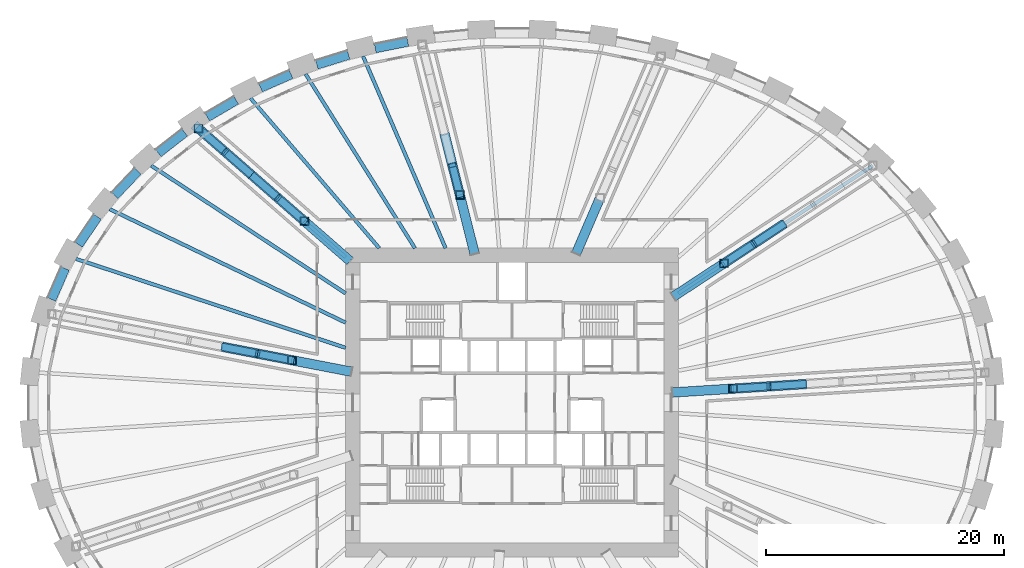
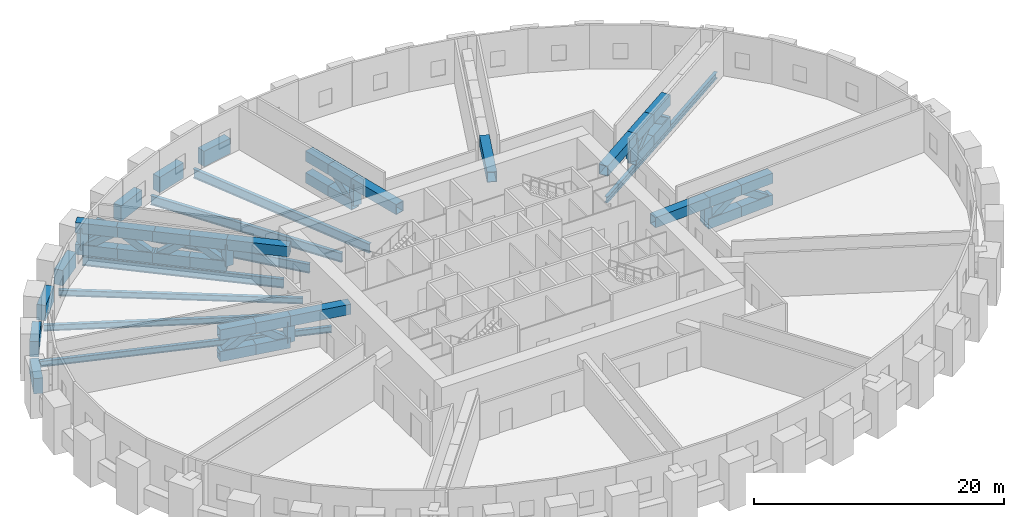
# One storey, part 4 of 14: 47 members, 16 beams.
"""IFC4 building model written with IfcOpenShell, lengths in metres."""

from ifc_helpers import new_model, si_unit, direction, frame, origin, origin_2d, place, context, subcontext, project, spatial, rectangle, hollow_rectangle, i_section, extrude, source, transform, mapped, material, material_profile, profile_set, type_object, element, save


model = new_model("IFC4")

# Units and contexts
model_context = context("Model", 3, precision=1e-05, world=origin(), true_north=direction((0.0, 1.0)))
body_context = subcontext(model_context, "Body", "Model", "MODEL_VIEW")
ifc_project = project(units=[si_unit("LENGTHUNIT", "METRE"), si_unit("AREAUNIT", "SQUARE_METRE"), si_unit("VOLUMEUNIT", "CUBIC_METRE"), si_unit("PLANEANGLEUNIT", "RADIAN"), si_unit("MASSUNIT", "GRAM", prefix="KILO")], contexts=[model_context])

# Site, building, storey
site_placement = place(None, origin())
site = spatial("IfcSite", under=ifc_project, at=site_placement, CompositionType="ELEMENT")
building_placement = place(site_placement, origin())
building = spatial("IfcBuilding", under=site, at=building_placement, Name="Embergate Tower", CompositionType="ELEMENT")
storey_placement = place(building_placement, frame((0.0, 0.0, 101.0)))
storey = spatial("IfcBuildingStorey", under=building, at=storey_placement, Name="L21", CompositionType="ELEMENT", Elevation=101.0)

# Beams
ifc_material_1 = material(Name="Concrete C70", Category="concrete")
ifc_material_profile_1 = material_profile(ifc_material_1, rectangle(XDim=0.75, YDim=1.5, at=origin_2d()), Name="RC 750x1500")
ifc_profile_set_1 = profile_set([ifc_material_profile_1], Name="Concrete C70")
beam_type_1 = type_object("IfcBeamType", Name="Spandrel beam RC 750x1500 C70", PredefinedType="BEAM", material=ifc_profile_set_1)
shared_shape_1 = source(origin(), body_context, "Body", "SweptSolid", [
    extrude(rectangle(XDim=0.75, YDim=1.5, at=origin_2d()), origin(), (0.0, 0.0, 1.0), 2.84130859375),
])
beam_1_placement = place(storey_placement, frame((-37.5859375, 11.282958984375, 0.0), z_axis=(-0.401621037759, -0.915805952169, 0.0), x_axis=(0.915805952169, -0.401621037759, 0.0)))
element("IfcBeam", 1, at=beam_1_placement, inside=storey, type_object=beam_type_1, Name="SPN-L21-19", PredefinedType="BEAM", context=body_context, shape_type="MappedRepresentation", body=[
    mapped(shared_shape_1, transform((0.0, 0.0, 0.0))),
])
shared_shape_2 = source(origin(), body_context, "Body", "SweptSolid", [
    extrude(rectangle(XDim=0.75, YDim=1.5, at=origin_2d()), origin(), (0.0, 0.0, 1.0), 2.83203125),
])
beam_2_placement = place(storey_placement, frame((-34.863037109375, 15.6279296875, 0.0), z_axis=(-0.56217796331, -0.827016286157, 0.0), x_axis=(0.827016286157, -0.56217796331, 0.0)))
element("IfcBeam", 2, at=beam_2_placement, inside=storey, type_object=beam_type_1, Name="SPN-L21-18", PredefinedType="BEAM", context=body_context, shape_type="MappedRepresentation", body=[
    mapped(shared_shape_2, transform((0.0, 0.0, 0.0))),
])
shared_shape_3 = source(origin(), body_context, "Body", "SweptSolid", [
    extrude(rectangle(XDim=0.75, YDim=1.5, at=origin_2d()), origin(), (0.0, 0.0, 1.0), 2.826171875),
])
beam_3_placement = place(storey_placement, frame((-31.467041015625, 19.4619140625, 0.0), z_axis=(-0.690282598808, -0.723539863299, 0.0), x_axis=(0.723539863299, -0.690282598808, 0.0)))
element("IfcBeam", 3, at=beam_3_placement, inside=storey, type_object=beam_type_1, Name="SPN-L21-17", PredefinedType="BEAM", context=body_context, shape_type="MappedRepresentation", body=[
    mapped(shared_shape_3, transform((0.0, 0.0, 0.0))),
])
shared_shape_4 = source(origin(), body_context, "Body", "SweptSolid", [
    extrude(rectangle(XDim=0.75, YDim=1.5, at=origin_2d()), origin(), (0.0, 0.0, 1.0), 2.817138671875),
])
beam_4_placement = place(storey_placement, frame((-27.528076171875, 22.72412109375, 0.0), z_axis=(-0.788361915434, -0.615211744275, 0.0), x_axis=(0.615211744275, -0.788361915434, 0.0)))
element("IfcBeam", 4, at=beam_4_placement, inside=storey, type_object=beam_type_1, Name="SPN-L21-16", PredefinedType="BEAM", context=body_context, shape_type="MappedRepresentation", body=[
    mapped(shared_shape_4, transform((0.0, 0.0, 0.0))),
])
shared_shape_5 = source(origin(), body_context, "Body", "SweptSolid", [
    extrude(rectangle(XDim=0.75, YDim=1.5, at=origin_2d()), origin(), (0.0, 0.0, 1.0), 2.813232421875),
])
beam_5_placement = place(storey_placement, frame((-23.200927734375, 25.443115234375, 0.0), z_axis=(-0.862007825953, -0.506894967421, 0.0), x_axis=(0.506894967421, -0.862007825953, 0.0)))
element("IfcBeam", 5, at=beam_5_placement, inside=storey, type_object=beam_type_1, Name="SPN-L21-15", PredefinedType="BEAM", context=body_context, shape_type="MappedRepresentation", body=[
    mapped(shared_shape_5, transform((0.0, 0.0, 0.0))),
])
shared_shape_6 = source(origin(), body_context, "Body", "SweptSolid", [
    extrude(rectangle(XDim=0.75, YDim=1.5, at=origin_2d()), origin(), (0.0, 0.0, 1.0), 2.81005859375),
])
beam_6_placement = place(storey_placement, frame((-18.577880859375, 27.614990234375, 0.0), z_axis=(-0.916061598474, -0.401037589013, 0.0), x_axis=(0.401037589013, -0.916061598474, 0.0)))
element("IfcBeam", 6, at=beam_6_placement, inside=storey, type_object=beam_type_1, Name="SPN-L21-14", PredefinedType="BEAM", context=body_context, shape_type="MappedRepresentation", body=[
    mapped(shared_shape_6, transform((0.0, 0.0, 0.0))),
])
shared_shape_7 = source(origin(), body_context, "Body", "SweptSolid", [
    extrude(rectangle(XDim=0.75, YDim=1.5, at=origin_2d()), origin(), (0.0, 0.0, 1.0), 2.806884765625),
])
beam_7_placement = place(storey_placement, frame((-13.742919921875, 29.251953125, 0.0), z_axis=(-0.954841423743, -0.297115895746, 0.0), x_axis=(0.297115895746, -0.954841423743, 0.0)))
element("IfcBeam", 7, at=beam_7_placement, inside=storey, type_object=beam_type_1, Name="SPN-L21-13", PredefinedType="BEAM", context=body_context, shape_type="MappedRepresentation", body=[
    mapped(shared_shape_7, transform((0.0, 0.0, 0.0))),
])
shared_shape_8 = source(origin(), body_context, "Body", "SweptSolid", [
    extrude(rectangle(XDim=0.75, YDim=1.5, at=origin_2d()), origin(), (0.0, 0.0, 1.0), 2.802734375),
])
beam_8_placement = place(storey_placement, frame((-8.761962890625, 30.35302734375, 0.0), z_axis=(-0.980483396855, -0.19660190358, 0.0), x_axis=(0.19660190358, -0.980483396855, 0.0)))
element("IfcBeam", 8, at=beam_8_placement, inside=storey, type_object=beam_type_1, Name="SPN-L21-12", PredefinedType="BEAM", context=body_context, shape_type="MappedRepresentation", body=[
    mapped(shared_shape_8, transform((0.0, 0.0, 0.0))),
])
ifc_material_2 = material(Name="Steel Q355B", Category="steel")
ifc_material_profile_2 = material_profile(ifc_material_2, i_section(OverallWidth=0.300048828125, OverallDepth=0.587890625, WebThickness=0.011962890625, FlangeThickness=0.02001953125, FilletRadius=0.012939453125, at=origin_2d()), Name="HM 588x300x12x20")
ifc_profile_set_2 = profile_set([ifc_material_profile_2], Name="Steel Q355 grade B")
beam_type_2 = type_object("IfcBeamType", Name="Plant girder HM 588x300x12x20", PredefinedType="BEAM", material=ifc_profile_set_2)
shared_shape_9 = source(origin(), body_context, "Body", "SweptSolid", [
    extrude(i_section(OverallWidth=0.300048828125, OverallDepth=0.587890625, WebThickness=0.011962890625, FlangeThickness=0.02001953125, FilletRadius=0.012939453125, at=origin_2d()), origin(), (0.0, 0.0, 1.0), 23.889892578125),
])
beam_9_placement = place(storey_placement, frame((-36.68798828125, 12.09912109375, -0.593994140625), z_axis=(0.949689151569, -0.313194053891, 0.0), x_axis=(0.313194053891, 0.949689151569, 0.0)))
element("IfcBeam", 9, at=beam_9_placement, inside=storey, type_object=beam_type_2, Name="GIR-L21-19", PredefinedType="BEAM", context=body_context, shape_type="MappedRepresentation", body=[
    mapped(shared_shape_9, transform((0.0, 0.0, 0.0))),
])
shared_shape_10 = source(origin(), body_context, "Body", "SweptSolid", [
    extrude(i_section(OverallWidth=0.300048828125, OverallDepth=0.587890625, WebThickness=0.011962890625, FlangeThickness=0.02001953125, FilletRadius=0.012939453125, at=origin_2d()), origin(), (0.0, 0.0, 1.0), 22.02099609375),
])
beam_10_placement = place(storey_placement, frame((-33.843994140625, 16.281982421875, -0.593994140625), z_axis=(0.90113724632, -0.433533924042, 0.0), x_axis=(0.433533924042, 0.90113724632, 0.0)))
element("IfcBeam", 10, at=beam_10_placement, inside=storey, type_object=beam_type_2, Name="GIR-L21-18", PredefinedType="BEAM", context=body_context, shape_type="MappedRepresentation", body=[
    mapped(shared_shape_10, transform((0.0, 0.0, 0.0))),
])
shared_shape_11 = source(origin(), body_context, "Body", "SweptSolid", [
    extrude(i_section(OverallWidth=0.300048828125, OverallDepth=0.587890625, WebThickness=0.011962890625, FlangeThickness=0.02001953125, FilletRadius=0.012939453125, at=origin_2d()), origin(), (0.0, 0.0, 1.0), 19.56591796875),
])
for number, where, z_axis, x_axis, name in (
    (11, (30.35205078125, 19.943115234375, -0.593994140625), (-0.835740492774, -0.549124602197, 0.0), (0.549124602197, -0.835740492774, 0.0), "GIR-L21-04"),
    (12, (-30.35205078125, 19.943115234375, -0.593994140625), (0.835740492774, -0.549124602197, 0.0), (0.549124602197, 0.835740492774, 0.0), "GIR-L21-17"),
):
    element("IfcBeam", number, at=place(storey_placement, frame(where, z_axis=z_axis, x_axis=x_axis)), inside=storey, type_object=beam_type_2, Name=name, PredefinedType="BEAM", context=body_context, shape_type="MappedRepresentation", body=[
        mapped(shared_shape_11, transform((0.0, 0.0, 0.0))),
    ])
ifc_material_profile_3 = material_profile(ifc_material_2, i_section(OverallWidth=0.300048828125, OverallDepth=0.89990234375, WebThickness=0.01611328125, FlangeThickness=0.028076171875, FilletRadius=0.028076171875, at=origin_2d()), Name="HN 900x300x16x28")
ifc_profile_set_3 = profile_set([ifc_material_profile_3], Name="Steel Q355 grade B")
beam_type_3 = type_object("IfcBeamType", Name="Plant girder HN 900x300x16x28", PredefinedType="BEAM", material=ifc_profile_set_3)
shared_shape_12 = source(origin(), body_context, "Body", "SweptSolid", [
    extrude(i_section(OverallWidth=0.300048828125, OverallDepth=0.89990234375, WebThickness=0.01611328125, FlangeThickness=0.028076171875, FilletRadius=0.028076171875, at=origin_2d()), origin(), (0.0, 0.0, 1.0), 16.42529296875),
])
beam_11_placement = place(storey_placement, frame((-26.364013671875, 23.055908203125, -0.75), z_axis=(0.752743328411, -0.658314120714, 0.0), x_axis=(0.658314120714, 0.752743328411, 0.0)))
element("IfcBeam", 13, at=beam_11_placement, inside=storey, type_object=beam_type_3, Name="GIR-L21-16", PredefinedType="BEAM", context=body_context, shape_type="MappedRepresentation", body=[
    mapped(shared_shape_12, transform((0.0, 0.0, 0.0))),
])
shared_shape_13 = source(origin(), body_context, "Body", "SweptSolid", [
    extrude(i_section(OverallWidth=0.300048828125, OverallDepth=0.89990234375, WebThickness=0.01611328125, FlangeThickness=0.028076171875, FilletRadius=0.028076171875, at=origin_2d()), origin(), (0.0, 0.0, 1.0), 16.634521484375),
])
beam_12_placement = place(storey_placement, frame((-22.0009765625, 25.6201171875, -0.75), z_axis=(0.6514728043, -0.758671987922, 0.0), x_axis=(0.758671987922, 0.6514728043, 0.0)))
element("IfcBeam", 14, at=beam_12_placement, inside=storey, type_object=beam_type_3, Name="GIR-L21-15", PredefinedType="BEAM", context=body_context, shape_type="MappedRepresentation", body=[
    mapped(shared_shape_13, transform((0.0, 0.0, 0.0))),
])
shared_shape_14 = source(origin(), body_context, "Body", "SweptSolid", [
    extrude(i_section(OverallWidth=0.300048828125, OverallDepth=0.89990234375, WebThickness=0.01611328125, FlangeThickness=0.028076171875, FilletRadius=0.028076171875, at=origin_2d()), origin(), (0.0, 0.0, 1.0), 17.29833984375),
])
beam_13_placement = place(storey_placement, frame((-17.364013671875, 27.64892578125, -0.75), z_axis=(0.53184228431, -0.84684342391, 0.0), x_axis=(0.84684342391, 0.53184228431, 0.0)))
element("IfcBeam", 15, at=beam_13_placement, inside=storey, type_object=beam_type_3, Name="GIR-L21-14", PredefinedType="BEAM", context=body_context, shape_type="MappedRepresentation", body=[
    mapped(shared_shape_14, transform((0.0, 0.0, 0.0))),
])
shared_shape_15 = source(origin(), body_context, "Body", "SweptSolid", [
    extrude(i_section(OverallWidth=0.300048828125, OverallDepth=0.89990234375, WebThickness=0.01611328125, FlangeThickness=0.028076171875, FilletRadius=0.028076171875, at=origin_2d()), origin(), (0.0, 0.0, 1.0), 17.58203125),
])
beam_14_placement = place(storey_placement, frame((-12.531005859375, 29.153076171875, -0.75), z_axis=(0.394897783559, -0.918725062541, 0.0), x_axis=(0.918725062541, 0.394897783559, 0.0)))
element("IfcBeam", 16, at=beam_14_placement, inside=storey, type_object=beam_type_3, Name="GIR-L21-13", PredefinedType="BEAM", context=body_context, shape_type="MappedRepresentation", body=[
    mapped(shared_shape_15, transform((0.0, 0.0, 0.0))),
])

# Members
ifc_material_profile_4 = material_profile(ifc_material_2, hollow_rectangle(XDim=0.800048828125, YDim=1.0, WallThickness=0.044921875, at=origin_2d()), Name="BOX 1000x800x45")
ifc_profile_set_4 = profile_set([ifc_material_profile_4], Name="Steel Q355 grade B")
member_type_1 = type_object("IfcMemberType", Name="Outrigger chord BOX 1000x800x45", PredefinedType="CHORD", material=ifc_profile_set_4)
shared_shape_16 = source(origin(), body_context, "Body", "SweptSolid", [
    extrude(hollow_rectangle(XDim=0.800048828125, YDim=1.0, WallThickness=0.044921875, at=origin_2d()), origin(), (0.0, 0.0, 1.0), 5.200439453125),
])
for number, where, z_axis, x_axis, name in (
    (17, (13.5009765625, 0.85693359375, 2.610107421875), (0.997983661198, 0.063471347725, 0.0), (-0.063471347725, 0.997983661198, 0.0), "OUT-L21-00-TC00"),
    (18, (13.58203125, 8.924072265625, 2.610107421875), (0.835701170414, 0.549184444217, 0.0), (-0.549184444217, 0.835701170414, 0.0), "OUT-L21-04-TC00"),
):
    element("IfcMember", number, at=place(storey_placement, frame(where, z_axis=z_axis, x_axis=x_axis)), inside=storey, type_object=member_type_1, Name=name, PredefinedType="CHORD", context=body_context, shape_type="MappedRepresentation", body=[
        mapped(shared_shape_16, transform((0.0, 0.0, 0.0))),
    ])
shared_shape_17 = source(origin(), body_context, "Body", "SweptSolid", [
    extrude(hollow_rectangle(XDim=0.800048828125, YDim=1.0, WallThickness=0.044921875, at=origin_2d()), origin(), (0.0, 0.0, 1.0), 3.13330078125),
])
for number, where, z_axis, x_axis, name in (
    (19, (18.591064453125, 1.180908203125, 2.610107421875), (0.99800130961, 0.063193243449, 0.0), (-0.063193243449, 0.99800130961, 0.0), "OUT-L21-00-TC01"),
    (20, (18.591064453125, 1.180908203125, 0.5), (0.99800130961, 0.063193243449, 0.0), (-0.063193243449, 0.99800130961, 0.0), "OUT-L21-00-BC00"),
):
    element("IfcMember", number, at=place(storey_placement, frame(where, z_axis=z_axis, x_axis=x_axis)), inside=storey, type_object=member_type_1, Name=name, PredefinedType="CHORD", context=body_context, shape_type="MappedRepresentation", body=[
        mapped(shared_shape_17, transform((0.0, 0.0, 0.0))),
    ])
shared_shape_18 = source(origin(), body_context, "Body", "SweptSolid", [
    extrude(hollow_rectangle(XDim=0.800048828125, YDim=1.0, WallThickness=0.044921875, at=origin_2d()), origin(), (0.0, 0.0, 1.0), 3.133544921875),
])
for number, where, z_axis, x_axis, name in (
    (21, (21.617919921875, 1.373046875, 2.610107421875), (0.997981919163, 0.063498732463, 0.0), (-0.063498732463, 0.997981919163, 0.0), "OUT-L21-00-TC02"),
    (22, (21.617919921875, 1.373046875, 0.5), (0.997981919163, 0.063498732463, 0.0), (-0.063498732463, 0.997981919163, 0.0), "OUT-L21-00-BC01"),
):
    element("IfcMember", number, at=place(storey_placement, frame(where, z_axis=z_axis, x_axis=x_axis)), inside=storey, type_object=member_type_1, Name=name, PredefinedType="CHORD", context=body_context, shape_type="MappedRepresentation", body=[
        mapped(shared_shape_18, transform((0.0, 0.0, 0.0))),
    ])
ifc_material_profile_5 = material_profile(ifc_material_2, hollow_rectangle(XDim=0.699951171875, YDim=0.699951171875, WallThickness=0.031982421875, at=origin_2d()), Name="BOX 700x700x32")
ifc_profile_set_5 = profile_set([ifc_material_profile_5], Name="Steel Q355 grade B")
member_type_2 = type_object("IfcMemberType", Name="Outrigger post BOX 700x700x32", PredefinedType="POST", material=ifc_profile_set_5)
shared_shape_19 = source(origin(), body_context, "Body", "SweptSolid", [
    extrude(hollow_rectangle(XDim=0.699951171875, YDim=0.699951171875, WallThickness=0.031982421875, at=origin_2d()), origin(), (0.0, 0.0, 1.0), 2.110107421875),
])
for number, where, z_axis, x_axis, name in (
    (23, (18.591064453125, 1.180908203125, 0.5), (0.0, 0.0, 1.0), (1.0, 0.0, 0.0), "OUT-L21-00-PO00"),
    (24, (17.843994140625, 11.72509765625, 0.5), (0.0, 0.0, 1.0), (1.0, 0.0, 0.0), "OUT-L21-04-PO00"),
    (25, (-4.383056640625, 17.4619140625, 0.5), (0.0, 0.0, 1.0), (1.0, 0.0, 0.0), "OUT-L21-12-PO00"),
    (26, (-17.462890625, 15.27099609375, 0.5), (0.0, 0.0, 1.0), (1.0, 0.0, 0.0), "OUT-L21-16-PO00"),
    (27, (-26.364013671875, 23.055908203125, 0.5), (0.0, 0.0, 1.0), (1.0, 0.0, 0.0), "OUT-L21-16-PO04"),
    (28, (-18.51708984375, 3.572021484375, 0.5), (0.0, 0.0, 1.0), (1.0, 0.0, 0.0), "OUT-L21-20-PO00"),
):
    element("IfcMember", number, at=place(storey_placement, frame(where, z_axis=z_axis, x_axis=x_axis)), inside=storey, type_object=member_type_2, Name=name, PredefinedType="POST", context=body_context, shape_type="MappedRepresentation", body=[
        mapped(shared_shape_19, transform((0.0, 0.0, 0.0))),
    ])
ifc_material_profile_6 = material_profile(ifc_material_2, hollow_rectangle(XDim=0.60009765625, YDim=0.60009765625, WallThickness=0.028076171875, at=origin_2d()), Name="BOX 600x600x28")
ifc_profile_set_6 = profile_set([ifc_material_profile_6], Name="Steel Q355 grade B")
member_type_3 = type_object("IfcMemberType", Name="Outrigger diagonal BOX 600x600x28", PredefinedType="BRACE", material=ifc_profile_set_6)
shared_shape_20 = source(origin(), body_context, "Body", "SweptSolid", [
    extrude(hollow_rectangle(XDim=0.60009765625, YDim=0.60009765625, WallThickness=0.028076171875, at=origin_2d()), origin(), (0.0, 0.0, 1.0), 3.69482421875),
])
member_1_placement = place(storey_placement, frame((18.591064453125, 1.180908203125, 0.5), z_axis=(0.819227055789, 0.052002878924, 0.57110658519), x_axis=(-0.063350474723, 0.997991341321, 0.0)))
element("IfcMember", 29, at=member_1_placement, inside=storey, type_object=member_type_3, Name="OUT-L21-00-DG00", PredefinedType="BRACE", context=body_context, shape_type="MappedRepresentation", body=[
    mapped(shared_shape_20, transform((0.0, 0.0, 0.0))),
])
shared_shape_21 = source(origin(), body_context, "Body", "SweptSolid", [
    extrude(hollow_rectangle(XDim=0.60009765625, YDim=0.60009765625, WallThickness=0.028076171875, at=origin_2d()), origin(), (0.0, 0.0, 1.0), 3.695068359375),
])
member_2_placement = place(storey_placement, frame((21.617919921875, 1.373046875, 2.610107421875), z_axis=(0.819251597723, 0.051934168547, -0.571077631996), x_axis=(-0.063265218578, 0.997996749553, 0.0)))
element("IfcMember", 30, at=member_2_placement, inside=storey, type_object=member_type_3, Name="OUT-L21-00-DG01", PredefinedType="BRACE", context=body_context, shape_type="MappedRepresentation", body=[
    mapped(shared_shape_21, transform((0.0, 0.0, 0.0))),
])
shared_shape_22 = source(origin(), body_context, "Body", "SweptSolid", [
    extrude(hollow_rectangle(XDim=0.800048828125, YDim=1.0, WallThickness=0.044921875, at=origin_2d()), origin(), (0.0, 0.0, 1.0), 3.093505859375),
])
for number, where, z_axis, x_axis, name in (
    (31, (17.843994140625, 11.72509765625, 2.610107421875), (0.835903081376, 0.548877070522, 0.0), (-0.548877070522, 0.835903081376, 0.0), "OUT-L21-04-TC01"),
    (32, (17.843994140625, 11.72509765625, 0.5), (0.835903081376, 0.548877070522, 0.0), (-0.548877070522, 0.835903081376, 0.0), "OUT-L21-04-BC00"),
):
    element("IfcMember", number, at=place(storey_placement, frame(where, z_axis=z_axis, x_axis=x_axis)), inside=storey, type_object=member_type_1, Name=name, PredefinedType="CHORD", context=body_context, shape_type="MappedRepresentation", body=[
        mapped(shared_shape_22, transform((0.0, 0.0, 0.0))),
    ])
shared_shape_23 = source(origin(), body_context, "Body", "SweptSolid", [
    extrude(hollow_rectangle(XDim=0.800048828125, YDim=1.0, WallThickness=0.044921875, at=origin_2d()), origin(), (0.0, 0.0, 1.0), 3.0927734375),
])
for number, where, z_axis, x_axis, name in (
    (33, (20.345947265625, 13.368896484375, 2.610107421875), (0.835807942057, 0.549021933983, 0.0), (-0.549021933983, 0.835807942057, 0.0), "OUT-L21-04-TC02"),
    (34, (20.345947265625, 13.368896484375, 0.5), (0.835807942057, 0.549021933983, 0.0), (-0.549021933983, 0.835807942057, 0.0), "OUT-L21-04-BC01"),
):
    element("IfcMember", number, at=place(storey_placement, frame(where, z_axis=z_axis, x_axis=x_axis)), inside=storey, type_object=member_type_1, Name=name, PredefinedType="CHORD", context=body_context, shape_type="MappedRepresentation", body=[
        mapped(shared_shape_23, transform((0.0, 0.0, 0.0))),
    ])
shared_shape_24 = source(origin(), body_context, "Body", "SweptSolid", [
    extrude(hollow_rectangle(XDim=0.60009765625, YDim=0.60009765625, WallThickness=0.028076171875, at=origin_2d()), origin(), (0.0, 0.0, 1.0), 3.66259765625),
])
member_3_placement = place(storey_placement, frame((17.843994140625, 11.72509765625, 0.5), z_axis=(0.68311462815, 0.448810576828, 0.576127998742), x_axis=(-0.549098144222, 0.835757876428, 0.0)))
element("IfcMember", 35, at=member_3_placement, inside=storey, type_object=member_type_3, Name="OUT-L21-04-DG00", PredefinedType="BRACE", context=body_context, shape_type="MappedRepresentation", body=[
    mapped(shared_shape_24, transform((0.0, 0.0, 0.0))),
])
shared_shape_25 = source(origin(), body_context, "Body", "SweptSolid", [
    extrude(hollow_rectangle(XDim=0.60009765625, YDim=0.60009765625, WallThickness=0.028076171875, at=origin_2d()), origin(), (0.0, 0.0, 1.0), 3.66162109375),
])
member_4_placement = place(storey_placement, frame((20.345947265625, 13.368896484375, 2.610107421875), z_axis=(0.683033693535, 0.448732600301, -0.576284675246), x_axis=(-0.549076946144, 0.835771803313, 0.0)))
element("IfcMember", 36, at=member_4_placement, inside=storey, type_object=member_type_3, Name="OUT-L21-04-DG01", PredefinedType="BRACE", context=body_context, shape_type="MappedRepresentation", body=[
    mapped(shared_shape_25, transform((0.0, 0.0, 0.0))),
])
shared_shape_26 = source(origin(), body_context, "Body", "SweptSolid", [
    extrude(hollow_rectangle(XDim=0.800048828125, YDim=1.0, WallThickness=0.044921875, at=origin_2d()), origin(), (0.0, 0.0, 1.0), 5.199462890625),
])
member_5_placement = place(storey_placement, frame((5.39111328125, 12.541015625, 2.610107421875), z_axis=(0.394837135959, 0.918751128471, 0.0), x_axis=(-0.918751128471, 0.394837135959, 0.0)))
element("IfcMember", 37, at=member_5_placement, inside=storey, type_object=member_type_1, Name="OUT-L21-08-TC00", PredefinedType="CHORD", context=body_context, shape_type="MappedRepresentation", body=[
    mapped(shared_shape_26, transform((0.0, 0.0, 0.0))),
])
shared_shape_27 = source(origin(), body_context, "Body", "SweptSolid", [
    extrude(hollow_rectangle(XDim=0.800048828125, YDim=1.0, WallThickness=0.044921875, at=origin_2d()), origin(), (0.0, 0.0, 1.0), 5.199951171875),
])
member_6_placement = place(storey_placement, frame((-3.14111328125, 12.514892578125, 2.610107421875), z_axis=(-0.243629154901, 0.96986846267, 0.0), x_axis=(-0.96986846267, -0.243629154901, 0.0)))
element("IfcMember", 38, at=member_6_placement, inside=storey, type_object=member_type_1, Name="OUT-L21-12-TC00", PredefinedType="CHORD", context=body_context, shape_type="MappedRepresentation", body=[
    mapped(shared_shape_27, transform((0.0, 0.0, 0.0))),
])
shared_shape_28 = source(origin(), body_context, "Body", "SweptSolid", [
    extrude(hollow_rectangle(XDim=0.800048828125, YDim=1.0, WallThickness=0.044921875, at=origin_2d()), origin(), (0.0, 0.0, 1.0), 2.7158203125),
])
for number, where, z_axis, x_axis, name in (
    (39, (-4.383056640625, 17.4619140625, 2.610107421875), (-0.243698766322, 0.969850973755, 0.0), (-0.969850973755, -0.243698766322, 0.0), "OUT-L21-12-TC01"),
    (40, (-5.02001953125, 19.9990234375, 2.610107421875), (-0.243698766322, 0.969850973755, 0.0), (-0.969850973755, -0.243698766322, 0.0), "OUT-L21-12-TC02"),
    (41, (-4.383056640625, 17.4619140625, 0.5), (-0.243698766322, 0.969850973755, 0.0), (-0.969850973755, -0.243698766322, 0.0), "OUT-L21-12-BC00"),
    (42, (-5.02001953125, 19.9990234375, 0.5), (-0.243698766322, 0.969850973755, 0.0), (-0.969850973755, -0.243698766322, 0.0), "OUT-L21-12-BC01"),
):
    element("IfcMember", number, at=place(storey_placement, frame(where, z_axis=z_axis, x_axis=x_axis)), inside=storey, type_object=member_type_1, Name=name, PredefinedType="CHORD", context=body_context, shape_type="MappedRepresentation", body=[
        mapped(shared_shape_28, transform((0.0, 0.0, 0.0))),
    ])
shared_shape_29 = source(origin(), body_context, "Body", "SweptSolid", [
    extrude(hollow_rectangle(XDim=0.60009765625, YDim=0.60009765625, WallThickness=0.028076171875, at=origin_2d()), origin(), (0.0, 0.0, 1.0), 3.36083984375),
])
member_7_placement = place(storey_placement, frame((-4.383056640625, 17.4619140625, 0.5), z_axis=(-0.189525297507, 0.754904902908, 0.627852489977), x_axis=(-0.969900455194, -0.243501759777, 0.0)))
element("IfcMember", 43, at=member_7_placement, inside=storey, type_object=member_type_3, Name="OUT-L21-12-DG00", PredefinedType="BRACE", context=body_context, shape_type="MappedRepresentation", body=[
    mapped(shared_shape_29, transform((0.0, 0.0, 0.0))),
])
shared_shape_30 = source(origin(), body_context, "Body", "SweptSolid", [
    extrude(hollow_rectangle(XDim=0.800048828125, YDim=1.0, WallThickness=0.044921875, at=origin_2d()), origin(), (0.0, 0.0, 1.0), 5.19970703125),
])
member_8_placement = place(storey_placement, frame((-13.6240234375, 11.9140625, 2.610107421875), z_axis=(-0.75276281763, 0.658291835278, 0.0), x_axis=(-0.658291835278, -0.75276281763, 0.0)))
element("IfcMember", 44, at=member_8_placement, inside=storey, type_object=member_type_1, Name="OUT-L21-16-TC00", PredefinedType="CHORD", context=body_context, shape_type="MappedRepresentation", body=[
    mapped(shared_shape_30, transform((0.0, 0.0, 0.0))),
])
shared_shape_31 = source(origin(), body_context, "Body", "SweptSolid", [
    extrude(hollow_rectangle(XDim=0.800048828125, YDim=1.0, WallThickness=0.044921875, at=origin_2d()), origin(), (0.0, 0.0, 1.0), 3.055908203125),
])
for number, where, z_axis, x_axis, name in (
    (45, (-17.462890625, 15.27099609375, 2.610107421875), (-0.752670720234, 0.65839713464, 0.0), (-0.65839713464, -0.752670720234, 0.0), "OUT-L21-16-TC01"),
    (46, (-17.462890625, 15.27099609375, 0.5), (-0.752670720234, 0.65839713464, 0.0), (-0.65839713464, -0.752670720234, 0.0), "OUT-L21-16-BC00"),
):
    element("IfcMember", number, at=place(storey_placement, frame(where, z_axis=z_axis, x_axis=x_axis)), inside=storey, type_object=member_type_1, Name=name, PredefinedType="CHORD", context=body_context, shape_type="MappedRepresentation", body=[
        mapped(shared_shape_31, transform((0.0, 0.0, 0.0))),
    ])
shared_shape_32 = source(origin(), body_context, "Body", "SweptSolid", [
    extrude(hollow_rectangle(XDim=0.800048828125, YDim=1.0, WallThickness=0.044921875, at=origin_2d()), origin(), (0.0, 0.0, 1.0), 3.056640625),
])
for number, where, z_axis, x_axis, name in (
    (47, (-19.68798828125, 17.217041015625, 2.610107421875), (-0.752809200278, 0.658238792519, 0.0), (-0.658238792519, -0.752809200278, 0.0), "OUT-L21-16-TC02"),
    (48, (-21.9130859375, 19.1640625, 2.610107421875), (-0.752809200278, 0.658238792519, 0.0), (-0.658238792519, -0.752809200278, 0.0), "OUT-L21-16-TC03"),
    (49, (-19.68798828125, 17.217041015625, 0.5), (-0.752809200278, 0.658238792519, 0.0), (-0.658238792519, -0.752809200278, 0.0), "OUT-L21-16-BC01"),
    (50, (-21.9130859375, 19.1640625, 0.5), (-0.752809200278, 0.658238792519, 0.0), (-0.658238792519, -0.752809200278, 0.0), "OUT-L21-16-BC02"),
):
    element("IfcMember", number, at=place(storey_placement, frame(where, z_axis=z_axis, x_axis=x_axis)), inside=storey, type_object=member_type_1, Name=name, PredefinedType="CHORD", context=body_context, shape_type="MappedRepresentation", body=[
        mapped(shared_shape_32, transform((0.0, 0.0, 0.0))),
    ])
shared_shape_33 = source(origin(), body_context, "Body", "SweptSolid", [
    extrude(hollow_rectangle(XDim=0.800048828125, YDim=1.0, WallThickness=0.044921875, at=origin_2d()), origin(), (0.0, 0.0, 1.0), 3.45556640625),
])
for number, where, z_axis, x_axis, name in (
    (51, (-24.138916015625, 21.110107421875, 2.610107421875), (-0.752725482176, 0.658334526273, 0.0), (-0.658334526273, -0.752725482176, 0.0), "OUT-L21-16-TC04"),
    (52, (-24.138916015625, 21.110107421875, 0.5), (-0.752725482176, 0.658334526273, 0.0), (-0.658334526273, -0.752725482176, 0.0), "OUT-L21-16-BC03"),
):
    element("IfcMember", number, at=place(storey_placement, frame(where, z_axis=z_axis, x_axis=x_axis)), inside=storey, type_object=member_type_1, Name=name, PredefinedType="CHORD", context=body_context, shape_type="MappedRepresentation", body=[
        mapped(shared_shape_33, transform((0.0, 0.0, 0.0))),
    ])
shared_shape_34 = source(origin(), body_context, "Body", "SweptSolid", [
    extrude(hollow_rectangle(XDim=0.60009765625, YDim=0.60009765625, WallThickness=0.028076171875, at=origin_2d()), origin(), (0.0, 0.0, 1.0), 3.6318359375),
])
for number, where, z_axis, x_axis, name in (
    (53, (-17.462890625, 15.27099609375, 0.5), (-0.612653745536, 0.535819947955, 0.580992574354), (-0.658329176449, -0.752730161104, 0.0), "OUT-L21-16-DG00"),
    (54, (-24.138916015625, 21.110107421875, 2.610107421875), (-0.612675812178, 0.535772023597, -0.58101350062), (-0.658282376611, -0.752771089139, 0.0), "OUT-L21-16-DG03"),
):
    element("IfcMember", number, at=place(storey_placement, frame(where, z_axis=z_axis, x_axis=x_axis)), inside=storey, type_object=member_type_3, Name=name, PredefinedType="BRACE", context=body_context, shape_type="MappedRepresentation", body=[
        mapped(shared_shape_34, transform((0.0, 0.0, 0.0))),
    ])
shared_shape_35 = source(origin(), body_context, "Body", "SweptSolid", [
    extrude(hollow_rectangle(XDim=0.60009765625, YDim=0.60009765625, WallThickness=0.028076171875, at=origin_2d()), origin(), (0.0, 0.0, 1.0), 3.63232421875),
])
for number, where, z_axis, x_axis, name in (
    (55, (-19.68798828125, 17.217041015625, 2.610107421875), (-0.612565475131, 0.536011593611, -0.580908865652), (-0.658516299481, -0.752566464385, 0.0), "OUT-L21-16-DG01"),
    (56, (-21.9130859375, 19.1640625, 0.5), (-0.612779692391, 0.535753748826, 0.580920794267), (-0.658206408799, -0.752837514618, 0.0), "OUT-L21-16-DG02"),
):
    element("IfcMember", number, at=place(storey_placement, frame(where, z_axis=z_axis, x_axis=x_axis)), inside=storey, type_object=member_type_3, Name=name, PredefinedType="BRACE", context=body_context, shape_type="MappedRepresentation", body=[
        mapped(shared_shape_35, transform((0.0, 0.0, 0.0))),
    ])
shared_shape_36 = source(origin(), body_context, "Body", "SweptSolid", [
    extrude(hollow_rectangle(XDim=0.800048828125, YDim=1.0, WallThickness=0.044921875, at=origin_2d()), origin(), (0.0, 0.0, 1.0), 5.2001953125),
])
member_9_placement = place(storey_placement, frame((-13.509033203125, 2.60595703125, 2.610107421875), z_axis=(-0.981892412038, 0.189439412957, 0.0), x_axis=(-0.189439412957, -0.981892412038, 0.0)))
element("IfcMember", 57, at=member_9_placement, inside=storey, type_object=member_type_1, Name="OUT-L21-20-TC00", PredefinedType="CHORD", context=body_context, shape_type="MappedRepresentation", body=[
    mapped(shared_shape_36, transform((0.0, 0.0, 0.0))),
])
shared_shape_37 = source(origin(), body_context, "Body", "SweptSolid", [
    extrude(hollow_rectangle(XDim=0.800048828125, YDim=1.0, WallThickness=0.044921875, at=origin_2d()), origin(), (0.0, 0.0, 1.0), 3.0390625),
])
for number, where, z_axis, x_axis, name in (
    (58, (-18.51708984375, 3.572021484375, 2.610107421875), (-0.981877864444, 0.189514799724, 0.0), (-0.189514799724, -0.981877864444, 0.0), "OUT-L21-20-TC01"),
    (59, (-21.403076171875, 4.12890625, 2.610107421875), (-0.981862912492, 0.189592249507, 0.0), (-0.189592249507, -0.981862912492, 0.0), "OUT-L21-20-TC02"),
    (60, (-18.51708984375, 3.572021484375, 0.5), (-0.981877864444, 0.189514799724, 0.0), (-0.189514799724, -0.981877864444, 0.0), "OUT-L21-20-BC00"),
    (61, (-21.403076171875, 4.12890625, 0.5), (-0.981862912492, 0.189592249507, 0.0), (-0.189592249507, -0.981862912492, 0.0), "OUT-L21-20-BC01"),
):
    element("IfcMember", number, at=place(storey_placement, frame(where, z_axis=z_axis, x_axis=x_axis)), inside=storey, type_object=member_type_1, Name=name, PredefinedType="CHORD", context=body_context, shape_type="MappedRepresentation", body=[
        mapped(shared_shape_37, transform((0.0, 0.0, 0.0))),
    ])
shared_shape_38 = source(origin(), body_context, "Body", "SweptSolid", [
    extrude(hollow_rectangle(XDim=0.60009765625, YDim=0.60009765625, WallThickness=0.028076171875, at=origin_2d()), origin(), (0.0, 0.0, 1.0), 3.6181640625),
])
for number, where, z_axis, x_axis, name in (
    (62, (-18.51708984375, 3.572021484375, 0.5), (-0.797623707591, 0.153910809324, 0.583187691795), (-0.18946659575, -0.981887167191, 0.0), "OUT-L21-20-DG00"),
    (63, (-21.403076171875, 4.12890625, 2.610107421875), (-0.797615422459, 0.153976685056, -0.583181634068), (-0.189546675053, -0.981871711568, 0.0), "OUT-L21-20-DG01"),
):
    element("IfcMember", number, at=place(storey_placement, frame(where, z_axis=z_axis, x_axis=x_axis)), inside=storey, type_object=member_type_3, Name=name, PredefinedType="BRACE", context=body_context, shape_type="MappedRepresentation", body=[
        mapped(shared_shape_38, transform((0.0, 0.0, 0.0))),
    ])

save(model, "model.ifc")
